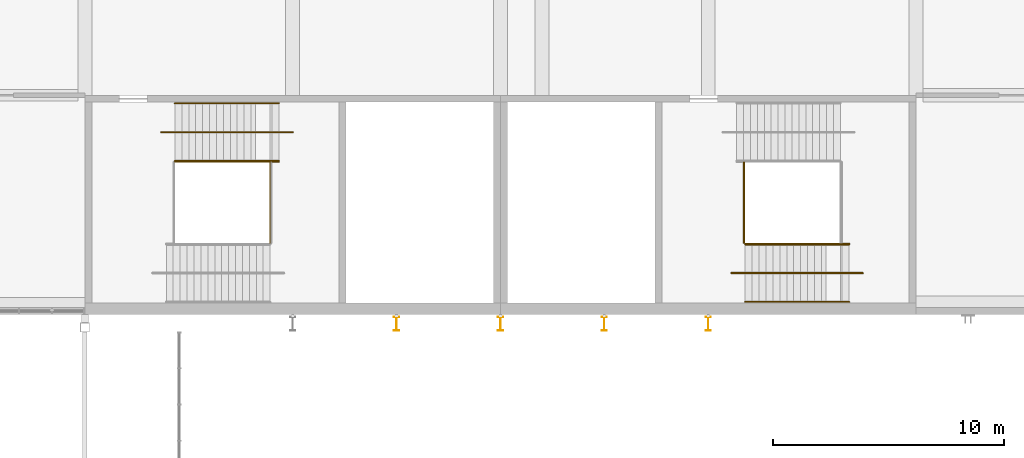
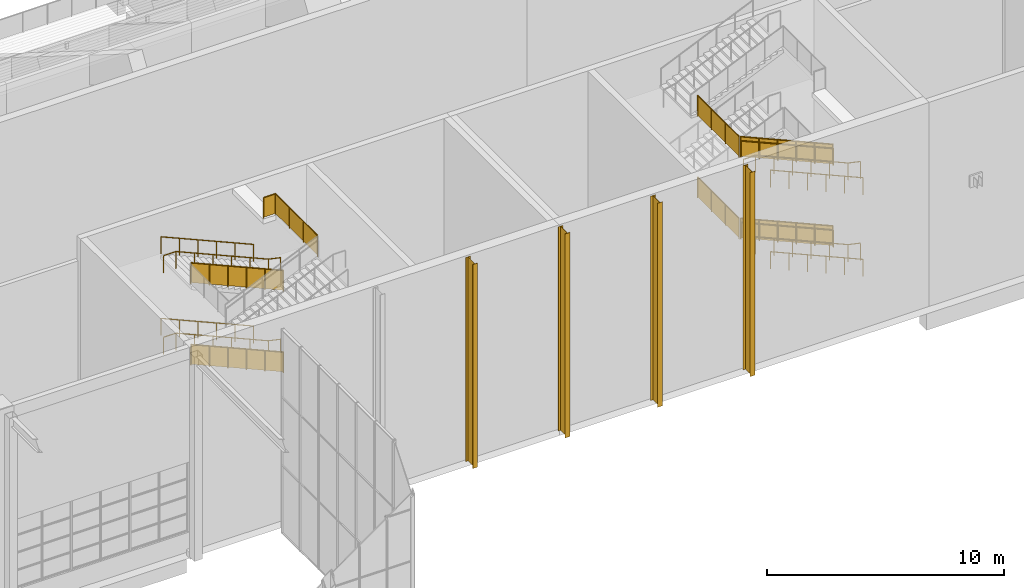
# One storey, part 156 of 182: 19 railings, 4 shading devices.
"""IFC4 building model written with IfcOpenShell, lengths in metres."""

from ifc_helpers import new_model, si_unit, direction, frame, origin, origin_2d, place, context, subcontext, project, spatial, polyline, circle, i_section, outline, extrude, material, material_profile, profile_set, type_object, element, save


model = new_model("IFC4")

# Units and contexts
model_context = context("Model", 3, precision=1e-05, world=origin(), true_north=direction((0.0, 1.0)))
body_context = subcontext(model_context, "Body", "Model", "MODEL_VIEW")
ifc_project = project(units=[si_unit("LENGTHUNIT", "METRE"), si_unit("AREAUNIT", "SQUARE_METRE"), si_unit("VOLUMEUNIT", "CUBIC_METRE"), si_unit("PLANEANGLEUNIT", "RADIAN"), si_unit("MASSUNIT", "GRAM", prefix="KILO")], contexts=[model_context])

# Site, building, storey
site_placement = place(None, origin())
site = spatial("IfcSite", under=ifc_project, at=site_placement, CompositionType="ELEMENT")
building_placement = place(site_placement, origin())
building = spatial("IfcBuilding", under=site, at=building_placement, Name="Silverbay Arena", CompositionType="ELEMENT")
storey_placement = place(building_placement, frame((0.0, 0.0, 11.5)))
storey = spatial("IfcBuildingStorey", under=building, at=storey_placement, Name="L02", CompositionType="ELEMENT", Elevation=11.5)

# Railings
ifc_material_1 = material(Name="Stainless steel", Category="steel")
railing_type_1 = type_object("IfcRailingType", Name="Stair guard 1100", PredefinedType="GUARDRAIL", material=ifc_material_1)
railing_1_placement = place(storey_placement, frame((152.39990234375, 24.125, 2.231201171875)))
element("IfcRailing", 1, at=railing_1_placement, inside=storey, type_object=railing_type_1, Name="Stair ST-S3 L02 to L03 flight 2 guard right", PredefinedType="GUARDRAIL", context=body_context, shape_type="SweptSolid", body=[
    extrude(circle(Radius=0.02392578125, at=origin_2d()), frame((0.0, 0.0, 1.076171875), z_axis=(-0.916157334902, 0.0, 0.40081883402), x_axis=(0.0, -1.0, 0.0)), (0.0, 0.0, 1.0), 4.911865234375),
    extrude(outline(polyline([(-0.008056640625, 0.04638671875), (0.907958984375, 0.447265625), (0.907958984375, 1.4501953125), (-0.008056640625, 1.049560546875), (-0.008056640625, 0.04638671875)])), frame((0.0, -0.0029296875, 0.0), z_axis=(0.0, 1.0, 0.0), x_axis=(-1.0, 0.0, 0.0)), (0.0, 0.0, 1.0), 0.006103515625),
    extrude(outline(polyline([(-0.008056640625, 0.440185546875), (0.907958984375, 0.841064453125), (0.907958984375, 1.843994140625), (-0.008056640625, 1.443359375), (-0.008056640625, 0.440185546875)])), frame((-0.89990234375, -0.0029296875, 0.0), z_axis=(0.0, 1.0, 0.0), x_axis=(-1.0, 0.0, 0.0)), (0.0, 0.0, 1.0), 0.006103515625),
    extrude(outline(polyline([(-0.008056640625, 0.833984375), (0.907958984375, 1.23486328125), (0.907958984375, 2.23779296875), (-0.008056640625, 1.8369140625), (-0.008056640625, 0.833984375)])), frame((-1.800048828125, -0.0029296875, 0.0), z_axis=(0.0, 1.0, 0.0), x_axis=(-1.0, 0.0, 0.0)), (0.0, 0.0, 1.0), 0.006103515625),
    extrude(outline(polyline([(-0.008056640625, 1.227783203125), (0.907958984375, 1.62841796875), (0.907958984375, 2.631591796875), (-0.008056640625, 2.230712890625), (-0.008056640625, 1.227783203125)])), frame((-2.699951171875, -0.0029296875, 0.0), z_axis=(0.0, 1.0, 0.0), x_axis=(-1.0, 0.0, 0.0)), (0.0, 0.0, 1.0), 0.006103515625),
    extrude(outline(polyline([(-0.008056640625, 1.62158203125), (0.907958984375, 2.022216796875), (0.907958984375, 3.025146484375), (-0.008056640625, 2.62451171875), (-0.008056640625, 1.62158203125)])), frame((-3.60009765625, -0.0029296875, 0.0), z_axis=(0.0, 1.0, 0.0), x_axis=(-1.0, 0.0, 0.0)), (0.0, 0.0, 1.0), 0.006103515625),
    extrude(circle(Radius=0.02099609375, at=origin_2d()), origin(), (0.0, 0.0, 1.0), 1.052001953125),
    extrude(circle(Radius=0.02099609375, at=origin_2d()), frame((-0.89990234375, 0.0, 0.393798828125)), (0.0, 0.0, 1.0), 1.052001953125),
    extrude(circle(Radius=0.02099609375, at=origin_2d()), frame((-1.800048828125, 0.0, 0.78759765625)), (0.0, 0.0, 1.0), 1.052001953125),
    extrude(circle(Radius=0.02099609375, at=origin_2d()), frame((-2.699951171875, 0.0, 1.18115234375)), (0.0, 0.0, 1.0), 1.052001953125),
    extrude(circle(Radius=0.02099609375, at=origin_2d()), frame((-3.60009765625, 0.0, 1.574951171875)), (0.0, 0.0, 1.0), 1.052001953125),
    extrude(circle(Radius=0.02099609375, at=origin_2d()), frame((-4.5, 0.0, 1.96875)), (0.0, 0.0, 1.0), 1.052001953125),
])
railing_2_placement = place(storey_placement, frame((152.39990234375, 24.125, 6.43115234375)))
element("IfcRailing", 2, at=railing_2_placement, inside=storey, type_object=railing_type_1, Name="Stair ST-S3 L02 to L03 flight 4 guard right", PredefinedType="GUARDRAIL", context=body_context, shape_type="SweptSolid", body=[
    extrude(circle(Radius=0.02392578125, at=origin_2d()), frame((0.0, 0.0, 1.076171875), z_axis=(-0.916157334902, 0.0, 0.40081883402), x_axis=(0.0, -1.0, 0.0)), (0.0, 0.0, 1.0), 4.911865234375),
    extrude(outline(polyline([(-0.008056640625, 0.04638671875), (0.907958984375, 0.447265625), (0.907958984375, 1.4501953125), (-0.008056640625, 1.049560546875), (-0.008056640625, 0.04638671875)])), frame((0.0, -0.0029296875, 0.0), z_axis=(0.0, 1.0, 0.0), x_axis=(-1.0, 0.0, 0.0)), (0.0, 0.0, 1.0), 0.006103515625),
    extrude(outline(polyline([(-0.008056640625, 0.440185546875), (0.907958984375, 0.841064453125), (0.907958984375, 1.843994140625), (-0.008056640625, 1.443359375), (-0.008056640625, 0.440185546875)])), frame((-0.89990234375, -0.0029296875, 0.0), z_axis=(0.0, 1.0, 0.0), x_axis=(-1.0, 0.0, 0.0)), (0.0, 0.0, 1.0), 0.006103515625),
    extrude(outline(polyline([(-0.008056640625, 0.833984375), (0.907958984375, 1.23486328125), (0.907958984375, 2.23779296875), (-0.008056640625, 1.8369140625), (-0.008056640625, 0.833984375)])), frame((-1.800048828125, -0.0029296875, 0.0), z_axis=(0.0, 1.0, 0.0), x_axis=(-1.0, 0.0, 0.0)), (0.0, 0.0, 1.0), 0.006103515625),
    extrude(outline(polyline([(-0.008056640625, 1.227783203125), (0.907958984375, 1.62841796875), (0.907958984375, 2.631591796875), (-0.008056640625, 2.230712890625), (-0.008056640625, 1.227783203125)])), frame((-2.699951171875, -0.0029296875, 0.0), z_axis=(0.0, 1.0, 0.0), x_axis=(-1.0, 0.0, 0.0)), (0.0, 0.0, 1.0), 0.006103515625),
    extrude(outline(polyline([(-0.008056640625, 1.62158203125), (0.907958984375, 2.022216796875), (0.907958984375, 3.025146484375), (-0.008056640625, 2.62451171875), (-0.008056640625, 1.62158203125)])), frame((-3.60009765625, -0.0029296875, 0.0), z_axis=(0.0, 1.0, 0.0), x_axis=(-1.0, 0.0, 0.0)), (0.0, 0.0, 1.0), 0.006103515625),
    extrude(circle(Radius=0.02099609375, at=origin_2d()), origin(), (0.0, 0.0, 1.0), 1.052001953125),
    extrude(circle(Radius=0.02099609375, at=origin_2d()), frame((-0.89990234375, 0.0, 0.393798828125)), (0.0, 0.0, 1.0), 1.052001953125),
    extrude(circle(Radius=0.02099609375, at=origin_2d()), frame((-1.800048828125, 0.0, 0.78759765625)), (0.0, 0.0, 1.0), 1.052001953125),
    extrude(circle(Radius=0.02099609375, at=origin_2d()), frame((-2.699951171875, 0.0, 1.18115234375)), (0.0, 0.0, 1.0), 1.052001953125),
    extrude(circle(Radius=0.02099609375, at=origin_2d()), frame((-3.60009765625, 0.0, 1.574951171875)), (0.0, 0.0, 1.0), 1.052001953125),
    extrude(circle(Radius=0.02099609375, at=origin_2d()), frame((-4.5, 0.0, 1.96875)), (0.0, 0.0, 1.0), 1.052001953125),
])
railing_3_placement = place(storey_placement, frame((151.449951171875, 24.14990234375, 10.5)))
element("IfcRailing", 3, at=railing_3_placement, inside=storey, type_object=railing_type_1, Name="Stair ST-S3 L02 to L03 landing 5 guard", PredefinedType="GUARDRAIL", context=body_context, shape_type="SweptSolid", body=[
    extrude(circle(Radius=0.02392578125, at=origin_2d()), frame((0.0, 0.0, 1.076171875), z_axis=(1.0, 0.0, 0.0), x_axis=(0.0, 1.0, 0.0)), (0.0, 0.0, 1.0), 0.575927734375),
    extrude(outline(polyline([(-0.008056640625, 0.050048828125), (0.583984375, 0.050048828125), (0.583984375, 1.052978515625), (-0.008056640625, 1.052978515625), (-0.008056640625, 0.050048828125)])), frame((0.0, 0.0029296875, 0.0), z_axis=(0.0, -1.0, 0.0), x_axis=(1.0, 0.0, 0.0)), (0.0, 0.0, 1.0), 0.006103515625),
    extrude(circle(Radius=0.02392578125, at=origin_2d()), frame((0.575927734375, 0.0, 1.076171875), z_axis=(0.0, -1.0, 0.0), x_axis=(1.0, 0.0, 0.0)), (0.0, 0.0, 1.0), 3.5498046875),
    extrude(outline(polyline([(-0.008056640625, 0.050048828125), (1.191162109375, 0.050048828125), (1.191162109375, 1.052978515625), (-0.008056640625, 1.052978515625), (-0.008056640625, 0.050048828125)])), frame((0.578857421875, 0.0, 0.0), z_axis=(-1.0, 0.0, 0.0), x_axis=(0.0, -1.0, 0.0)), (0.0, 0.0, 1.0), 0.006103515625),
    extrude(outline(polyline([(-0.008056640625, 0.050048828125), (1.191162109375, 0.050048828125), (1.191162109375, 1.052978515625), (-0.008056640625, 1.052978515625), (-0.008056640625, 0.050048828125)])), frame((0.578857421875, -1.183349609375, 0.0), z_axis=(-1.0, 0.0, 0.0), x_axis=(0.0, -1.0, 0.0)), (0.0, 0.0, 1.0), 0.006103515625),
    extrude(outline(polyline([(-0.008056640625, 0.050048828125), (1.191162109375, 0.050048828125), (1.191162109375, 1.052978515625), (-0.008056640625, 1.052978515625), (-0.008056640625, 0.050048828125)])), frame((0.578857421875, -2.366455078125, 0.0), z_axis=(-1.0, 0.0, 0.0), x_axis=(0.0, -1.0, 0.0)), (0.0, 0.0, 1.0), 0.006103515625),
    extrude(circle(Radius=0.02099609375, at=origin_2d()), origin(), (0.0, 0.0, 1.0), 1.052001953125),
    extrude(circle(Radius=0.02099609375, at=origin_2d()), frame((0.575927734375, 0.0, 0.0)), (0.0, 0.0, 1.0), 1.052001953125),
    extrude(circle(Radius=0.02099609375, at=origin_2d()), frame((0.575927734375, -1.183349609375, 0.0)), (0.0, 0.0, 1.0), 1.052001953125),
    extrude(circle(Radius=0.02099609375, at=origin_2d()), frame((0.575927734375, -2.366455078125, 0.0)), (0.0, 0.0, 1.0), 1.052001953125),
    extrude(circle(Radius=0.02099609375, at=origin_2d()), frame((0.575927734375, -3.5498046875, 0.0)), (0.0, 0.0, 1.0), 1.052001953125),
])
railing_4_placement = place(storey_placement, frame((177.10009765625, 20.574951171875, 2.231201171875)))
element("IfcRailing", 4, at=railing_4_placement, inside=storey, type_object=railing_type_1, Name="Stair ST-S4 L02 to L03 flight 2 guard left", PredefinedType="GUARDRAIL", context=body_context, shape_type="SweptSolid", body=[
    extrude(circle(Radius=0.02392578125, at=origin_2d()), frame((0.0, 0.0, 1.076171875), z_axis=(-0.916157334902, 0.0, 0.40081883402), x_axis=(0.0, -1.0, 0.0)), (0.0, 0.0, 1.0), 4.911865234375),
    extrude(outline(polyline([(-0.008056640625, 0.04638671875), (0.907958984375, 0.447265625), (0.907958984375, 1.4501953125), (-0.008056640625, 1.049560546875), (-0.008056640625, 0.04638671875)])), frame((0.0, -0.0029296875, 0.0), z_axis=(0.0, 1.0, 0.0), x_axis=(-1.0, 0.0, 0.0)), (0.0, 0.0, 1.0), 0.006103515625),
    extrude(outline(polyline([(-0.008056640625, 0.440185546875), (0.907958984375, 0.841064453125), (0.907958984375, 1.843994140625), (-0.008056640625, 1.443359375), (-0.008056640625, 0.440185546875)])), frame((-0.89990234375, -0.0029296875, 0.0), z_axis=(0.0, 1.0, 0.0), x_axis=(-1.0, 0.0, 0.0)), (0.0, 0.0, 1.0), 0.006103515625),
    extrude(outline(polyline([(-0.008056640625, 0.833984375), (0.907958984375, 1.23486328125), (0.907958984375, 2.23779296875), (-0.008056640625, 1.8369140625), (-0.008056640625, 0.833984375)])), frame((-1.800048828125, -0.0029296875, 0.0), z_axis=(0.0, 1.0, 0.0), x_axis=(-1.0, 0.0, 0.0)), (0.0, 0.0, 1.0), 0.006103515625),
    extrude(outline(polyline([(-0.008056640625, 1.227783203125), (0.907958984375, 1.62841796875), (0.907958984375, 2.631591796875), (-0.008056640625, 2.230712890625), (-0.008056640625, 1.227783203125)])), frame((-2.699951171875, -0.0029296875, 0.0), z_axis=(0.0, 1.0, 0.0), x_axis=(-1.0, 0.0, 0.0)), (0.0, 0.0, 1.0), 0.006103515625),
    extrude(outline(polyline([(-0.008056640625, 1.62158203125), (0.907958984375, 2.022216796875), (0.907958984375, 3.025146484375), (-0.008056640625, 2.62451171875), (-0.008056640625, 1.62158203125)])), frame((-3.60009765625, -0.0029296875, 0.0), z_axis=(0.0, 1.0, 0.0), x_axis=(-1.0, 0.0, 0.0)), (0.0, 0.0, 1.0), 0.006103515625),
    extrude(circle(Radius=0.02099609375, at=origin_2d()), origin(), (0.0, 0.0, 1.0), 1.052001953125),
    extrude(circle(Radius=0.02099609375, at=origin_2d()), frame((-0.89990234375, 0.0, 0.393798828125)), (0.0, 0.0, 1.0), 1.052001953125),
    extrude(circle(Radius=0.02099609375, at=origin_2d()), frame((-1.800048828125, 0.0, 0.78759765625)), (0.0, 0.0, 1.0), 1.052001953125),
    extrude(circle(Radius=0.02099609375, at=origin_2d()), frame((-2.699951171875, 0.0, 1.18115234375)), (0.0, 0.0, 1.0), 1.052001953125),
    extrude(circle(Radius=0.02099609375, at=origin_2d()), frame((-3.60009765625, 0.0, 1.574951171875)), (0.0, 0.0, 1.0), 1.052001953125),
    extrude(circle(Radius=0.02099609375, at=origin_2d()), frame((-4.5, 0.0, 1.96875)), (0.0, 0.0, 1.0), 1.052001953125),
])
railing_5_placement = place(storey_placement, frame((177.10009765625, 20.574951171875, 6.43115234375)))
element("IfcRailing", 5, at=railing_5_placement, inside=storey, type_object=railing_type_1, Name="Stair ST-S4 L02 to L03 flight 4 guard left", PredefinedType="GUARDRAIL", context=body_context, shape_type="SweptSolid", body=[
    extrude(circle(Radius=0.02392578125, at=origin_2d()), frame((0.0, 0.0, 1.076171875), z_axis=(-0.916157334902, 0.0, 0.40081883402), x_axis=(0.0, -1.0, 0.0)), (0.0, 0.0, 1.0), 4.911865234375),
    extrude(outline(polyline([(-0.008056640625, 0.04638671875), (0.907958984375, 0.447265625), (0.907958984375, 1.4501953125), (-0.008056640625, 1.049560546875), (-0.008056640625, 0.04638671875)])), frame((0.0, -0.0029296875, 0.0), z_axis=(0.0, 1.0, 0.0), x_axis=(-1.0, 0.0, 0.0)), (0.0, 0.0, 1.0), 0.006103515625),
    extrude(outline(polyline([(-0.008056640625, 0.440185546875), (0.907958984375, 0.841064453125), (0.907958984375, 1.843994140625), (-0.008056640625, 1.443359375), (-0.008056640625, 0.440185546875)])), frame((-0.89990234375, -0.0029296875, 0.0), z_axis=(0.0, 1.0, 0.0), x_axis=(-1.0, 0.0, 0.0)), (0.0, 0.0, 1.0), 0.006103515625),
    extrude(outline(polyline([(-0.008056640625, 0.833984375), (0.907958984375, 1.23486328125), (0.907958984375, 2.23779296875), (-0.008056640625, 1.8369140625), (-0.008056640625, 0.833984375)])), frame((-1.800048828125, -0.0029296875, 0.0), z_axis=(0.0, 1.0, 0.0), x_axis=(-1.0, 0.0, 0.0)), (0.0, 0.0, 1.0), 0.006103515625),
    extrude(outline(polyline([(-0.008056640625, 1.227783203125), (0.907958984375, 1.62841796875), (0.907958984375, 2.631591796875), (-0.008056640625, 2.230712890625), (-0.008056640625, 1.227783203125)])), frame((-2.699951171875, -0.0029296875, 0.0), z_axis=(0.0, 1.0, 0.0), x_axis=(-1.0, 0.0, 0.0)), (0.0, 0.0, 1.0), 0.006103515625),
    extrude(outline(polyline([(-0.008056640625, 1.62158203125), (0.907958984375, 2.022216796875), (0.907958984375, 3.025146484375), (-0.008056640625, 2.62451171875), (-0.008056640625, 1.62158203125)])), frame((-3.60009765625, -0.0029296875, 0.0), z_axis=(0.0, 1.0, 0.0), x_axis=(-1.0, 0.0, 0.0)), (0.0, 0.0, 1.0), 0.006103515625),
    extrude(circle(Radius=0.02099609375, at=origin_2d()), origin(), (0.0, 0.0, 1.0), 1.052001953125),
    extrude(circle(Radius=0.02099609375, at=origin_2d()), frame((-0.89990234375, 0.0, 0.393798828125)), (0.0, 0.0, 1.0), 1.052001953125),
    extrude(circle(Radius=0.02099609375, at=origin_2d()), frame((-1.800048828125, 0.0, 0.78759765625)), (0.0, 0.0, 1.0), 1.052001953125),
    extrude(circle(Radius=0.02099609375, at=origin_2d()), frame((-2.699951171875, 0.0, 1.18115234375)), (0.0, 0.0, 1.0), 1.052001953125),
    extrude(circle(Radius=0.02099609375, at=origin_2d()), frame((-3.60009765625, 0.0, 1.574951171875)), (0.0, 0.0, 1.0), 1.052001953125),
    extrude(circle(Radius=0.02099609375, at=origin_2d()), frame((-4.5, 0.0, 1.96875)), (0.0, 0.0, 1.0), 1.052001953125),
])
for number, where, name in (
    (6, (172.550048828125, 24.10009765625, 4.199951171875), "Stair ST-S4 L02 to L03 landing 2 guard"),
    (7, (172.550048828125, 24.10009765625, 8.39990234375), "Stair ST-S4 L02 to L03 landing 4 guard"),
):
    element("IfcRailing", number, at=place(storey_placement, frame(where)), inside=storey, type_object=railing_type_1, Name=name, PredefinedType="GUARDRAIL", context=body_context, shape_type="SweptSolid", body=[
        extrude(circle(Radius=0.02392578125, at=origin_2d()), frame((0.0, 0.0, 1.076171875), z_axis=(0.0, -1.0, 0.0), x_axis=(1.0, 0.0, 0.0)), (0.0, 0.0, 1.0), 3.5),
        extrude(outline(polyline([(-0.008056640625, 0.050048828125), (1.174560546875, 0.050048828125), (1.174560546875, 1.052978515625), (-0.008056640625, 1.052978515625), (-0.008056640625, 0.050048828125)])), frame((0.0029296875, 0.0, 0.0), z_axis=(-1.0, 0.0, 0.0), x_axis=(0.0, -1.0, 0.0)), (0.0, 0.0, 1.0), 0.006103515625),
        extrude(outline(polyline([(-0.008056640625, 0.050048828125), (1.174560546875, 0.050048828125), (1.174560546875, 1.052978515625), (-0.008056640625, 1.052978515625), (-0.008056640625, 0.050048828125)])), frame((0.0029296875, -1.166748046875, 0.0), z_axis=(-1.0, 0.0, 0.0), x_axis=(0.0, -1.0, 0.0)), (0.0, 0.0, 1.0), 0.006103515625),
        extrude(outline(polyline([(-0.008056640625, 0.050048828125), (1.174560546875, 0.050048828125), (1.174560546875, 1.052978515625), (-0.008056640625, 1.052978515625), (-0.008056640625, 0.050048828125)])), frame((0.0029296875, -2.333251953125, 0.0), z_axis=(-1.0, 0.0, 0.0), x_axis=(0.0, -1.0, 0.0)), (0.0, 0.0, 1.0), 0.006103515625),
        extrude(circle(Radius=0.02099609375, at=origin_2d()), origin(), (0.0, 0.0, 1.0), 1.052001953125),
        extrude(circle(Radius=0.02099609375, at=origin_2d()), frame((0.0, -1.166748046875, 0.0)), (0.0, 0.0, 1.0), 1.052001953125),
        extrude(circle(Radius=0.02099609375, at=origin_2d()), frame((0.0, -2.333251953125, 0.0)), (0.0, 0.0, 1.0), 1.052001953125),
        extrude(circle(Radius=0.02099609375, at=origin_2d()), frame((0.0, -3.5, 0.0)), (0.0, 0.0, 1.0), 1.052001953125),
    ])
ifc_material_2 = material(Name="Stainless steel", Category="steel")
railing_type_2 = type_object("IfcRailingType", Name="Stair handrail 900", PredefinedType="HANDRAIL", material=ifc_material_2)
for number, where, name in (
    (8, (152.39990234375, 26.64990234375, 2.231201171875), "Stair ST-S3 L02 to L03 flight 2 handrail left"),
    (9, (152.39990234375, 24.1640625, 2.231201171875), "Stair ST-S3 L02 to L03 flight 2 handrail right"),
):
    element("IfcRailing", number, at=place(storey_placement, frame(where)), inside=storey, type_object=railing_type_2, Name=name, PredefinedType="HANDRAIL", context=body_context, shape_type="SweptSolid", body=[
        extrude(circle(Radius=0.02392578125, at=origin_2d()), frame((0.0, 0.0, 0.8759765625), z_axis=(-0.916157334902, 0.0, 0.40081883402), x_axis=(0.0, -1.0, 0.0)), (0.0, 0.0, 1.0), 4.911865234375),
        extrude(circle(Radius=0.02099609375, at=origin_2d()), origin(), (0.0, 0.0, 1.0), 0.851806640625),
        extrude(circle(Radius=0.02099609375, at=origin_2d()), frame((-0.89990234375, 0.0, 0.393798828125)), (0.0, 0.0, 1.0), 0.851806640625),
        extrude(circle(Radius=0.02099609375, at=origin_2d()), frame((-1.800048828125, 0.0, 0.78759765625)), (0.0, 0.0, 1.0), 0.851806640625),
        extrude(circle(Radius=0.02099609375, at=origin_2d()), frame((-2.699951171875, 0.0, 1.18115234375)), (0.0, 0.0, 1.0), 0.851806640625),
        extrude(circle(Radius=0.02099609375, at=origin_2d()), frame((-3.60009765625, 0.0, 1.574951171875)), (0.0, 0.0, 1.0), 0.851806640625),
        extrude(circle(Radius=0.02099609375, at=origin_2d()), frame((-4.5, 0.0, 1.96875)), (0.0, 0.0, 1.0), 0.851806640625),
    ])
railing_6_placement = place(storey_placement, frame((153.0, 25.39990234375, 2.10009765625)))
element("IfcRailing", 10, at=railing_6_placement, inside=storey, type_object=railing_type_2, Name="Stair ST-S3 L02 to L03 flight 2 central handrail", PredefinedType="HANDRAIL", context=body_context, shape_type="SweptSolid", body=[
    extrude(circle(Radius=0.02392578125, at=origin_2d()), frame((0.0, 0.0, 0.8759765625), z_axis=(-0.976957027196, 0.0, 0.213436095852), x_axis=(0.0, -1.0, 0.0)), (0.0, 0.0, 1.0), 0.6142578125),
    extrude(circle(Radius=0.02392578125, at=origin_2d()), frame((-0.60009765625, 0.0, 1.0068359375), z_axis=(-0.916157334902, 0.0, 0.40081883402), x_axis=(0.0, -1.0, 0.0)), (0.0, 0.0, 1.0), 4.911865234375),
    extrude(circle(Radius=0.02392578125, at=origin_2d()), frame((-5.10009765625, 0.0, 2.9755859375), z_axis=(-1.0, 0.0, 0.0), x_axis=(0.0, -1.0, 0.0)), (0.0, 0.0, 1.0), 0.599853515625),
    extrude(circle(Radius=0.02099609375, at=origin_2d()), origin(), (0.0, 0.0, 1.0), 0.851806640625),
    extrude(circle(Radius=0.02099609375, at=origin_2d()), frame((-0.60009765625, 0.0, 0.131103515625)), (0.0, 0.0, 1.0), 0.851806640625),
    extrude(circle(Radius=0.02099609375, at=origin_2d()), frame((-1.5, 0.0, 0.52490234375)), (0.0, 0.0, 1.0), 0.851806640625),
    extrude(circle(Radius=0.02099609375, at=origin_2d()), frame((-2.400146484375, 0.0, 0.918701171875)), (0.0, 0.0, 1.0), 0.851806640625),
    extrude(circle(Radius=0.02099609375, at=origin_2d()), frame((-3.300048828125, 0.0, 1.312255859375)), (0.0, 0.0, 1.0), 0.851806640625),
    extrude(circle(Radius=0.02099609375, at=origin_2d()), frame((-4.2001953125, 0.0, 1.7060546875)), (0.0, 0.0, 1.0), 0.851806640625),
    extrude(circle(Radius=0.02099609375, at=origin_2d()), frame((-5.10009765625, 0.0, 2.099853515625)), (0.0, 0.0, 1.0), 0.851806640625),
    extrude(circle(Radius=0.02099609375, at=origin_2d()), frame((-5.699951171875, 0.0, 2.099853515625)), (0.0, 0.0, 1.0), 0.851806640625),
])
for number, where, name in (
    (11, (152.39990234375, 26.64990234375, 6.43115234375), "Stair ST-S3 L02 to L03 flight 4 handrail left"),
    (12, (152.39990234375, 24.1640625, 6.43115234375), "Stair ST-S3 L02 to L03 flight 4 handrail right"),
):
    element("IfcRailing", number, at=place(storey_placement, frame(where)), inside=storey, type_object=railing_type_2, Name=name, PredefinedType="HANDRAIL", context=body_context, shape_type="SweptSolid", body=[
        extrude(circle(Radius=0.02392578125, at=origin_2d()), frame((0.0, 0.0, 0.8759765625), z_axis=(-0.916157334902, 0.0, 0.40081883402), x_axis=(0.0, -1.0, 0.0)), (0.0, 0.0, 1.0), 4.911865234375),
        extrude(circle(Radius=0.02099609375, at=origin_2d()), origin(), (0.0, 0.0, 1.0), 0.851806640625),
        extrude(circle(Radius=0.02099609375, at=origin_2d()), frame((-0.89990234375, 0.0, 0.393798828125)), (0.0, 0.0, 1.0), 0.851806640625),
        extrude(circle(Radius=0.02099609375, at=origin_2d()), frame((-1.800048828125, 0.0, 0.78759765625)), (0.0, 0.0, 1.0), 0.851806640625),
        extrude(circle(Radius=0.02099609375, at=origin_2d()), frame((-2.699951171875, 0.0, 1.18115234375)), (0.0, 0.0, 1.0), 0.851806640625),
        extrude(circle(Radius=0.02099609375, at=origin_2d()), frame((-3.60009765625, 0.0, 1.574951171875)), (0.0, 0.0, 1.0), 0.851806640625),
        extrude(circle(Radius=0.02099609375, at=origin_2d()), frame((-4.5, 0.0, 1.96875)), (0.0, 0.0, 1.0), 0.851806640625),
    ])
railing_7_placement = place(storey_placement, frame((153.0, 25.39990234375, 6.300048828125)))
element("IfcRailing", 13, at=railing_7_placement, inside=storey, type_object=railing_type_2, Name="Stair ST-S3 L02 to L03 flight 4 central handrail", PredefinedType="HANDRAIL", context=body_context, shape_type="SweptSolid", body=[
    extrude(circle(Radius=0.02392578125, at=origin_2d()), frame((0.0, 0.0, 0.8759765625), z_axis=(-0.976957027196, 0.0, 0.213436095852), x_axis=(0.0, -1.0, 0.0)), (0.0, 0.0, 1.0), 0.6142578125),
    extrude(circle(Radius=0.02392578125, at=origin_2d()), frame((-0.60009765625, 0.0, 1.0068359375), z_axis=(-0.916157334902, 0.0, 0.40081883402), x_axis=(0.0, -1.0, 0.0)), (0.0, 0.0, 1.0), 4.911865234375),
    extrude(circle(Radius=0.02392578125, at=origin_2d()), frame((-5.10009765625, 0.0, 2.9755859375), z_axis=(-1.0, 0.0, 0.0), x_axis=(0.0, -1.0, 0.0)), (0.0, 0.0, 1.0), 0.599853515625),
    extrude(circle(Radius=0.02099609375, at=origin_2d()), origin(), (0.0, 0.0, 1.0), 0.851806640625),
    extrude(circle(Radius=0.02099609375, at=origin_2d()), frame((-0.60009765625, 0.0, 0.131103515625)), (0.0, 0.0, 1.0), 0.851806640625),
    extrude(circle(Radius=0.02099609375, at=origin_2d()), frame((-1.5, 0.0, 0.52490234375)), (0.0, 0.0, 1.0), 0.851806640625),
    extrude(circle(Radius=0.02099609375, at=origin_2d()), frame((-2.400146484375, 0.0, 0.918701171875)), (0.0, 0.0, 1.0), 0.851806640625),
    extrude(circle(Radius=0.02099609375, at=origin_2d()), frame((-3.300048828125, 0.0, 1.312255859375)), (0.0, 0.0, 1.0), 0.851806640625),
    extrude(circle(Radius=0.02099609375, at=origin_2d()), frame((-4.2001953125, 0.0, 1.7060546875)), (0.0, 0.0, 1.0), 0.851806640625),
    extrude(circle(Radius=0.02099609375, at=origin_2d()), frame((-5.10009765625, 0.0, 2.099853515625)), (0.0, 0.0, 1.0), 0.851806640625),
    extrude(circle(Radius=0.02099609375, at=origin_2d()), frame((-5.699951171875, 0.0, 2.099853515625)), (0.0, 0.0, 1.0), 0.851806640625),
])
for number, where, name in (
    (14, (177.10009765625, 20.535888671875, 2.231201171875), "Stair ST-S4 L02 to L03 flight 2 handrail left"),
    (15, (177.10009765625, 18.050048828125, 2.231201171875), "Stair ST-S4 L02 to L03 flight 2 handrail right"),
):
    element("IfcRailing", number, at=place(storey_placement, frame(where)), inside=storey, type_object=railing_type_2, Name=name, PredefinedType="HANDRAIL", context=body_context, shape_type="SweptSolid", body=[
        extrude(circle(Radius=0.02392578125, at=origin_2d()), frame((0.0, 0.0, 0.8759765625), z_axis=(-0.916157334902, 0.0, 0.40081883402), x_axis=(0.0, -1.0, 0.0)), (0.0, 0.0, 1.0), 4.911865234375),
        extrude(circle(Radius=0.02099609375, at=origin_2d()), origin(), (0.0, 0.0, 1.0), 0.851806640625),
        extrude(circle(Radius=0.02099609375, at=origin_2d()), frame((-0.89990234375, 0.0, 0.393798828125)), (0.0, 0.0, 1.0), 0.851806640625),
        extrude(circle(Radius=0.02099609375, at=origin_2d()), frame((-1.800048828125, 0.0, 0.78759765625)), (0.0, 0.0, 1.0), 0.851806640625),
        extrude(circle(Radius=0.02099609375, at=origin_2d()), frame((-2.699951171875, 0.0, 1.18115234375)), (0.0, 0.0, 1.0), 0.851806640625),
        extrude(circle(Radius=0.02099609375, at=origin_2d()), frame((-3.60009765625, 0.0, 1.574951171875)), (0.0, 0.0, 1.0), 0.851806640625),
        extrude(circle(Radius=0.02099609375, at=origin_2d()), frame((-4.5, 0.0, 1.96875)), (0.0, 0.0, 1.0), 0.851806640625),
    ])
railing_8_placement = place(storey_placement, frame((177.699951171875, 19.300048828125, 2.10009765625)))
element("IfcRailing", 16, at=railing_8_placement, inside=storey, type_object=railing_type_2, Name="Stair ST-S4 L02 to L03 flight 2 central handrail", PredefinedType="HANDRAIL", context=body_context, shape_type="SweptSolid", body=[
    extrude(circle(Radius=0.02392578125, at=origin_2d()), frame((0.0, 0.0, 0.8759765625), z_axis=(-0.976938910361, 0.0, 0.213519004829), x_axis=(0.0, -1.0, 0.0)), (0.0, 0.0, 1.0), 0.614013671875),
    extrude(circle(Radius=0.02392578125, at=origin_2d()), frame((-0.599853515625, 0.0, 1.0068359375), z_axis=(-0.916157334902, 0.0, 0.40081883402), x_axis=(0.0, -1.0, 0.0)), (0.0, 0.0, 1.0), 4.911865234375),
    extrude(circle(Radius=0.02392578125, at=origin_2d()), frame((-5.099853515625, 0.0, 2.9755859375), z_axis=(-1.0, 0.0, 0.0), x_axis=(0.0, -1.0, 0.0)), (0.0, 0.0, 1.0), 0.60009765625),
    extrude(circle(Radius=0.02099609375, at=origin_2d()), origin(), (0.0, 0.0, 1.0), 0.851806640625),
    extrude(circle(Radius=0.02099609375, at=origin_2d()), frame((-0.599853515625, 0.0, 0.131103515625)), (0.0, 0.0, 1.0), 0.851806640625),
    extrude(circle(Radius=0.02099609375, at=origin_2d()), frame((-1.499755859375, 0.0, 0.52490234375)), (0.0, 0.0, 1.0), 0.851806640625),
    extrude(circle(Radius=0.02099609375, at=origin_2d()), frame((-2.39990234375, 0.0, 0.918701171875)), (0.0, 0.0, 1.0), 0.851806640625),
    extrude(circle(Radius=0.02099609375, at=origin_2d()), frame((-3.2998046875, 0.0, 1.312255859375)), (0.0, 0.0, 1.0), 0.851806640625),
    extrude(circle(Radius=0.02099609375, at=origin_2d()), frame((-4.199951171875, 0.0, 1.7060546875)), (0.0, 0.0, 1.0), 0.851806640625),
    extrude(circle(Radius=0.02099609375, at=origin_2d()), frame((-5.099853515625, 0.0, 2.099853515625)), (0.0, 0.0, 1.0), 0.851806640625),
    extrude(circle(Radius=0.02099609375, at=origin_2d()), frame((-5.699951171875, 0.0, 2.099853515625)), (0.0, 0.0, 1.0), 0.851806640625),
])
for number, where, name in (
    (17, (177.10009765625, 20.535888671875, 6.43115234375), "Stair ST-S4 L02 to L03 flight 4 handrail left"),
    (18, (177.10009765625, 18.050048828125, 6.43115234375), "Stair ST-S4 L02 to L03 flight 4 handrail right"),
):
    element("IfcRailing", number, at=place(storey_placement, frame(where)), inside=storey, type_object=railing_type_2, Name=name, PredefinedType="HANDRAIL", context=body_context, shape_type="SweptSolid", body=[
        extrude(circle(Radius=0.02392578125, at=origin_2d()), frame((0.0, 0.0, 0.8759765625), z_axis=(-0.916157334902, 0.0, 0.40081883402), x_axis=(0.0, -1.0, 0.0)), (0.0, 0.0, 1.0), 4.911865234375),
        extrude(circle(Radius=0.02099609375, at=origin_2d()), origin(), (0.0, 0.0, 1.0), 0.851806640625),
        extrude(circle(Radius=0.02099609375, at=origin_2d()), frame((-0.89990234375, 0.0, 0.393798828125)), (0.0, 0.0, 1.0), 0.851806640625),
        extrude(circle(Radius=0.02099609375, at=origin_2d()), frame((-1.800048828125, 0.0, 0.78759765625)), (0.0, 0.0, 1.0), 0.851806640625),
        extrude(circle(Radius=0.02099609375, at=origin_2d()), frame((-2.699951171875, 0.0, 1.18115234375)), (0.0, 0.0, 1.0), 0.851806640625),
        extrude(circle(Radius=0.02099609375, at=origin_2d()), frame((-3.60009765625, 0.0, 1.574951171875)), (0.0, 0.0, 1.0), 0.851806640625),
        extrude(circle(Radius=0.02099609375, at=origin_2d()), frame((-4.5, 0.0, 1.96875)), (0.0, 0.0, 1.0), 0.851806640625),
    ])
railing_9_placement = place(storey_placement, frame((177.699951171875, 19.300048828125, 6.300048828125)))
element("IfcRailing", 19, at=railing_9_placement, inside=storey, type_object=railing_type_2, Name="Stair ST-S4 L02 to L03 flight 4 central handrail", PredefinedType="HANDRAIL", context=body_context, shape_type="SweptSolid", body=[
    extrude(circle(Radius=0.02392578125, at=origin_2d()), frame((0.0, 0.0, 0.8759765625), z_axis=(-0.976938910361, 0.0, 0.213519004829), x_axis=(0.0, -1.0, 0.0)), (0.0, 0.0, 1.0), 0.614013671875),
    extrude(circle(Radius=0.02392578125, at=origin_2d()), frame((-0.599853515625, 0.0, 1.0068359375), z_axis=(-0.916157334902, 0.0, 0.40081883402), x_axis=(0.0, -1.0, 0.0)), (0.0, 0.0, 1.0), 4.911865234375),
    extrude(circle(Radius=0.02392578125, at=origin_2d()), frame((-5.099853515625, 0.0, 2.9755859375), z_axis=(-1.0, 0.0, 0.0), x_axis=(0.0, -1.0, 0.0)), (0.0, 0.0, 1.0), 0.60009765625),
    extrude(circle(Radius=0.02099609375, at=origin_2d()), origin(), (0.0, 0.0, 1.0), 0.851806640625),
    extrude(circle(Radius=0.02099609375, at=origin_2d()), frame((-0.599853515625, 0.0, 0.131103515625)), (0.0, 0.0, 1.0), 0.851806640625),
    extrude(circle(Radius=0.02099609375, at=origin_2d()), frame((-1.499755859375, 0.0, 0.52490234375)), (0.0, 0.0, 1.0), 0.851806640625),
    extrude(circle(Radius=0.02099609375, at=origin_2d()), frame((-2.39990234375, 0.0, 0.918701171875)), (0.0, 0.0, 1.0), 0.851806640625),
    extrude(circle(Radius=0.02099609375, at=origin_2d()), frame((-3.2998046875, 0.0, 1.312255859375)), (0.0, 0.0, 1.0), 0.851806640625),
    extrude(circle(Radius=0.02099609375, at=origin_2d()), frame((-4.199951171875, 0.0, 1.7060546875)), (0.0, 0.0, 1.0), 0.851806640625),
    extrude(circle(Radius=0.02099609375, at=origin_2d()), frame((-5.099853515625, 0.0, 2.099853515625)), (0.0, 0.0, 1.0), 0.851806640625),
    extrude(circle(Radius=0.02099609375, at=origin_2d()), frame((-5.699951171875, 0.0, 2.099853515625)), (0.0, 0.0, 1.0), 0.851806640625),
])

# Shading devices
ifc_material_3 = material(Name="Steel S355", Category="steel")
ifc_material_profile = material_profile(ifc_material_3, i_section(OverallWidth=0.2275390625, OverallDepth=0.6025390625, WebThickness=0.010498046875, FlangeThickness=0.014892578125, at=origin_2d()), Name="UB 610x229x101")
ifc_profile_set = profile_set([ifc_material_profile], Name="Steel S355")
shading_device_type = type_object("IfcShadingDeviceType", Name="Steel fin UB 610x229x101", PredefinedType="USERDEFINED", material=ifc_profile_set)
for number, where, z_axis, x_axis, name in (
    (20, (157.5, 17.0986328125, 0.0), (0.0, 0.0, 1.0), (1.0, 0.0, 0.0), "Steel fin S L02 23"),
    (21, (162.0, 17.0986328125, 0.0), (0.0, 0.0, 1.0), (1.0, 0.0, 0.0), "Steel fin S L02 24"),
    (22, (166.5, 17.0986328125, 0.0), (0.0, 0.0, 1.0), (1.0, 0.0, 0.0), "Steel fin S L02 25"),
    (23, (171.0, 17.0986328125, 0.0), (0.0, 0.0, 1.0), (1.0, 0.0, 0.0), "Steel fin S L02 26"),
):
    element("IfcShadingDevice", number, at=place(storey_placement, frame(where, z_axis=z_axis, x_axis=x_axis)), inside=storey, type_object=shading_device_type, Name=name, ObjectType="FIN", PredefinedType="USERDEFINED", context=body_context, shape_type="SweptSolid", body=[
        extrude(i_section(OverallWidth=0.2275390625, OverallDepth=0.6025390625, WebThickness=0.010498046875, FlangeThickness=0.014892578125, at=origin_2d()), origin(), (0.0, 0.0, 1.0), 10.5),
    ])

save(model, "model.ifc")
